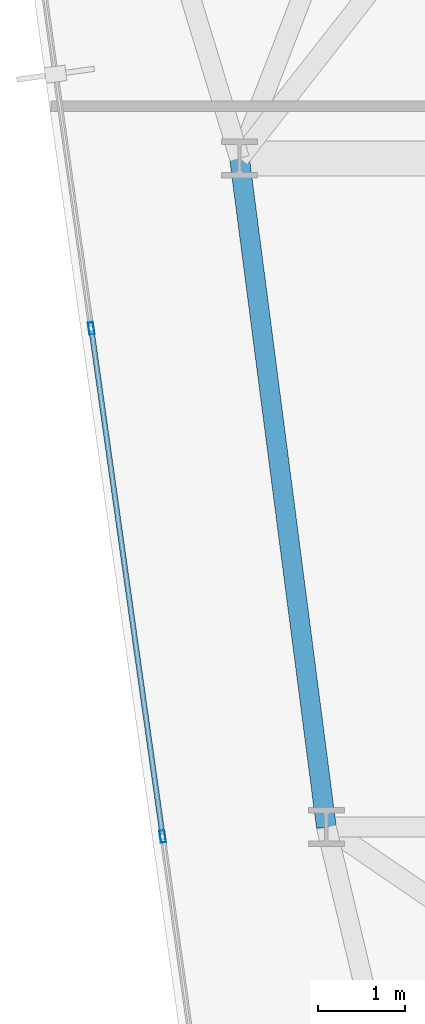
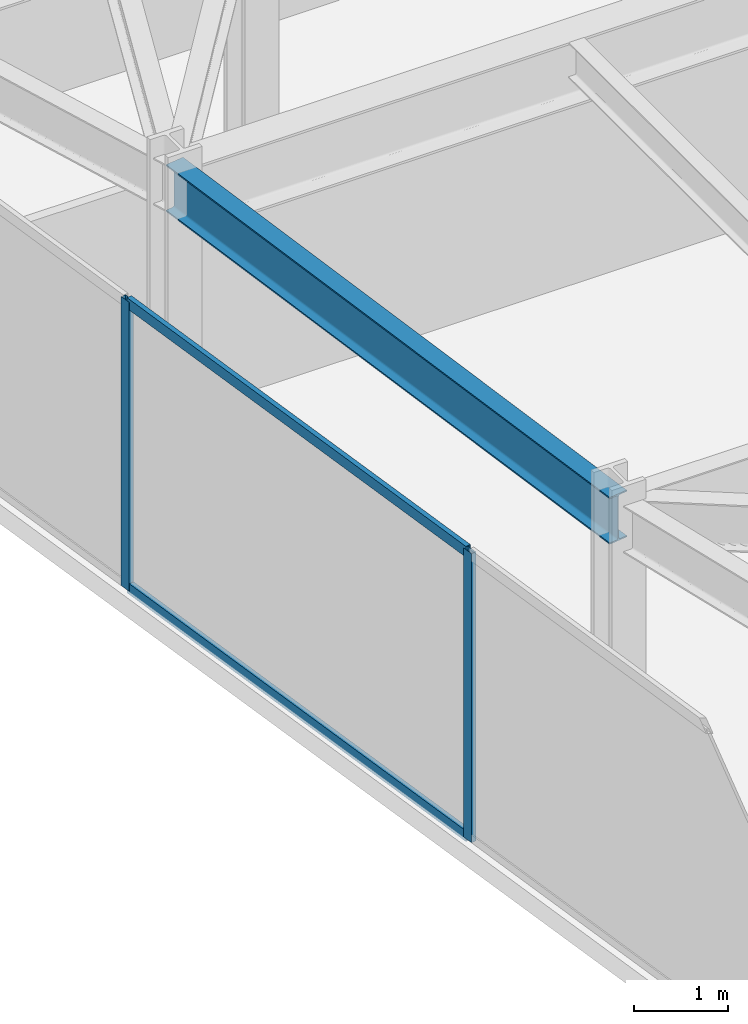
# One storey, part 5 of 26: 4 members, 1 beam, 1 element without a shape of its own.
"""IFC4 building model written with IfcOpenShell, lengths in metres."""

from ifc_helpers import new_model, si_unit, direction, frame, origin, origin_2d, place, context, subcontext, project, spatial, hollow_rectangle, i_section, extrude, material, layer, layer_set, material_profile, profile_set, type_object, element, aggregate, save


model = new_model("IFC4")

# Units and contexts
model_context = context("Model", 3, precision=1e-05, world=origin(), true_north=direction((0.0, 1.0)))
body_context = subcontext(model_context, "Body", "Model", "MODEL_VIEW")
ifc_project = project(units=[si_unit("LENGTHUNIT", "METRE"), si_unit("AREAUNIT", "SQUARE_METRE"), si_unit("VOLUMEUNIT", "CUBIC_METRE"), si_unit("PLANEANGLEUNIT", "RADIAN"), si_unit("MASSUNIT", "GRAM", prefix="KILO")], contexts=[model_context])

# Site, building, storey
site_placement = place(None, origin())
site = spatial("IfcSite", under=ifc_project, at=site_placement, CompositionType="ELEMENT")
building_placement = place(site_placement, origin())
building = spatial("IfcBuilding", under=site, at=building_placement, Name="Kravanh Interchange Tower", CompositionType="ELEMENT")
storey_placement = place(building_placement, frame((0.0, 0.0, 140.0)))
storey = spatial("IfcBuildingStorey", under=building, at=storey_placement, Name="L33", CompositionType="ELEMENT", Elevation=140.0)

# Curtain wall, members
ifc_material_1 = material(Name="Anodised Bronze Aluminium", Category="aluminium")
ifc_layer = layer(ifc_material_1, 0.179931640625)
ifc_layer_set = layer_set([ifc_layer], Name="Unitised Curtain Wall System CW-Z2 Mid Office")
curtain_wall_type = type_object("IfcCurtainWallType", Name="Unitised Curtain Wall System CW-Z2 Mid Office", PredefinedType="NOTDEFINED", material=ifc_layer_set)
curtain_wall_placement = place(storey_placement, origin())
curtain_wall = element("IfcCurtainWall", 1, at=curtain_wall_placement, inside=storey, type_object=curtain_wall_type, Name="L33 Unitised Curtain Wall CW-L33-01", PredefinedType="NOTDEFINED")
ifc_material_2 = material(Name="Anodised Bronze Aluminium", Category="aluminium")
ifc_material_profile_1 = material_profile(ifc_material_2, hollow_rectangle(XDim=0.06005859375, YDim=0.139892578125, WallThickness=0.00390625, at=origin_2d()), Name="ALU60X140X4")
ifc_profile_set_1 = profile_set([ifc_material_profile_1], Name="Anodised Bronze Aluminium")
member_type_1 = type_object("IfcMemberType", Name="Curtain Wall Mullion ALU60X140X4 Bronze", PredefinedType="MULLION", material=ifc_profile_set_1)
member_1_placement = place(storey_placement, frame((14.114990234375, 14.390869140625, 0.0), z_axis=(0.0, 0.0, 1.0), x_axis=(-0.990268103846, -0.13917285118, 0.0)))
member_1 = element("IfcMember", 2, at=member_1_placement, type_object=member_type_1, Name="CW-Z2 mullion 2", PredefinedType="MULLION", context=body_context, shape_type="SweptSolid", body=[
    extrude(hollow_rectangle(XDim=0.06005859375, YDim=0.139892578125, WallThickness=0.00390625, at=origin_2d()), origin(), (0.0, 0.0, 1.0), 3.75),
])
member_2_placement = place(storey_placement, frame((13.29248046875, 20.2431640625, 0.0), z_axis=(0.0, 0.0, 1.0), x_axis=(-0.990268103846, -0.13917285118, 0.0)))
member_2 = element("IfcMember", 3, at=member_2_placement, type_object=member_type_1, Name="CW-Z2 mullion 3", PredefinedType="MULLION", context=body_context, shape_type="SweptSolid", body=[
    extrude(hollow_rectangle(XDim=0.06005859375, YDim=0.139892578125, WallThickness=0.00390625, at=origin_2d()), origin(), (0.0, 0.0, 1.0), 3.75),
])
ifc_material_3 = material(Name="Anodised Bronze Aluminium", Category="aluminium")
ifc_material_profile_2 = material_profile(ifc_material_3, hollow_rectangle(XDim=0.06005859375, YDim=0.139892578125, WallThickness=0.00390625, at=origin_2d()), Name="ALU60X140X4")
ifc_profile_set_2 = profile_set([ifc_material_profile_2], Name="Anodised Bronze Aluminium")
member_type_2 = type_object("IfcMemberType", Name="Curtain Wall Transom ALU60X140X4 Bronze", PredefinedType="USERDEFINED", material=ifc_profile_set_2)
member_3_placement = place(storey_placement, frame((14.11083984375, 14.420654296875, 0.030029296875), z_axis=(-0.139183212647, 0.990266647584, 0.0), x_axis=(-0.990266647584, -0.139183212647, 0.0)))
member_3 = element("IfcMember", 4, at=member_3_placement, type_object=member_type_2, Name="CW-Z2 transom 2.1", ObjectType="TRANSOM", PredefinedType="USERDEFINED", context=body_context, shape_type="SweptSolid", body=[
    extrude(hollow_rectangle(XDim=0.06005859375, YDim=0.139892578125, WallThickness=0.00390625, at=origin_2d()), origin(), (0.0, 0.0, 1.0), 5.849853515625),
])
member_4_placement = place(storey_placement, frame((14.11083984375, 14.420654296875, 3.719970703125), z_axis=(-0.139183212647, 0.990266647584, 0.0), x_axis=(-0.990266647584, -0.139183212647, 0.0)))
member_4 = element("IfcMember", 5, at=member_4_placement, type_object=member_type_2, Name="CW-Z2 transom 2.2", ObjectType="TRANSOM", PredefinedType="USERDEFINED", context=body_context, shape_type="SweptSolid", body=[
    extrude(hollow_rectangle(XDim=0.06005859375, YDim=0.139892578125, WallThickness=0.00390625, at=origin_2d()), origin(), (0.0, 0.0, 1.0), 5.849853515625),
])
aggregate(curtain_wall, [member_1, member_2, member_3, member_4])

# Beam
ifc_material_4 = material(Name="Structural Steel S355", Category="steel")
ifc_material_profile_3 = material_profile(ifc_material_4, i_section(OverallWidth=0.22802734375, OverallDepth=0.60791015625, WebThickness=0.01123046875, FlangeThickness=0.017333984375, FilletRadius=0.02197265625, at=origin_2d()), Name="W24X76")
ifc_profile_set_3 = profile_set([ifc_material_profile_3], Name="Structural Steel S355")
beam_type = type_object("IfcBeamType", Name="Floor Spandrel W24X76 Structural Steel S355", PredefinedType="SPANDREL", material=ifc_profile_set_3)
beam_placement = place(storey_placement, frame((16.0, 14.5, 3.446044921875), z_axis=(-0.128789384125, 0.99167196922, 0.0), x_axis=(-0.99167196922, -0.128789384125, 0.0)))
element("IfcBeam", 6, at=beam_placement, inside=storey, type_object=beam_type, Name="L33 Perimeter Spandrel 100", PredefinedType="SPANDREL", context=body_context, shape_type="SweptSolid", body=[
    extrude(i_section(OverallWidth=0.22802734375, OverallDepth=0.60791015625, WebThickness=0.01123046875, FlangeThickness=0.017333984375, FilletRadius=0.02197265625, at=origin_2d()), origin(), (0.0, 0.0, 1.0), 7.7646484375),
])

save(model, "model.ifc")
